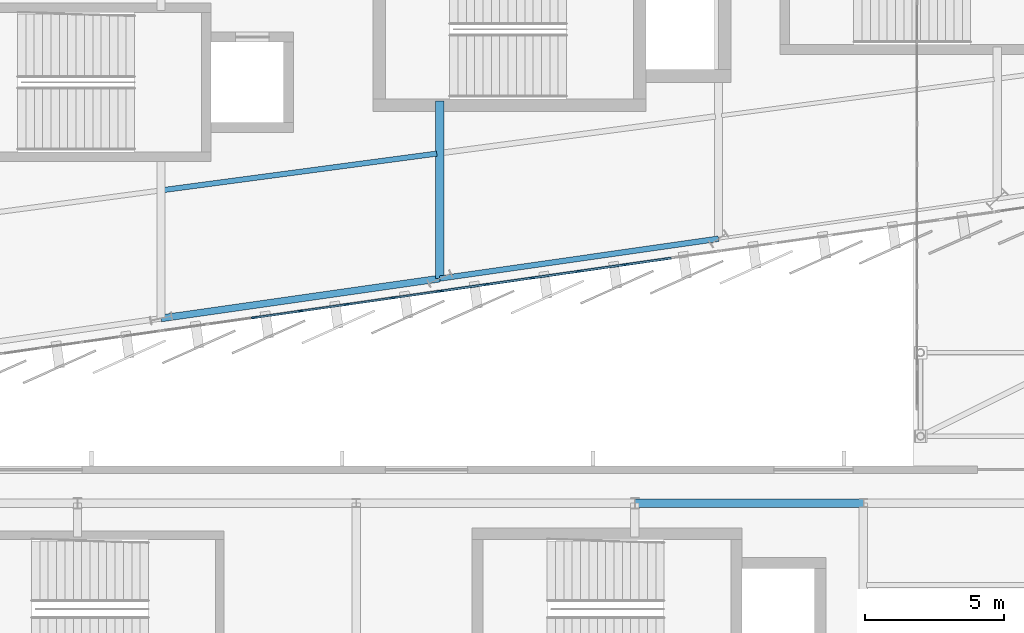
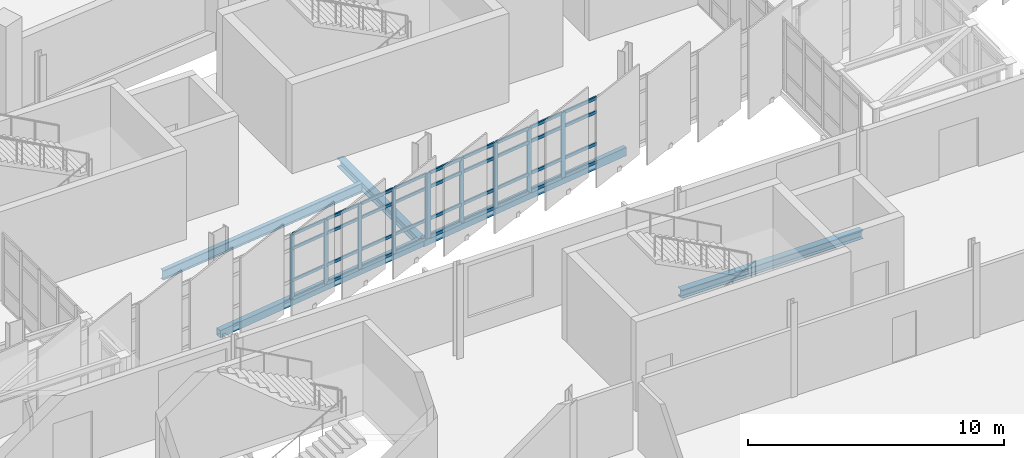
# One storey, part 39 of 125: 46 members, 5 beams, 2 elements without a shape of their own.
"""IFC4 building model written with IfcOpenShell, lengths in metres."""

from ifc_helpers import new_model, si_unit, direction, frame, origin, origin_2d, place, context, subcontext, project, spatial, rectangle, hollow_rectangle, i_section, extrude, material, layer, layer_set, material_profile, profile_set, type_object, element, aggregate, save


model = new_model("IFC4")

# Units and contexts
model_context = context("Model", 3, precision=1e-05, world=origin(), true_north=direction((0.0, 1.0)))
body_context = subcontext(model_context, "Body", "Model", "MODEL_VIEW")
ifc_project = project(units=[si_unit("LENGTHUNIT", "METRE"), si_unit("AREAUNIT", "SQUARE_METRE"), si_unit("VOLUMEUNIT", "CUBIC_METRE"), si_unit("PLANEANGLEUNIT", "RADIAN"), si_unit("MASSUNIT", "GRAM", prefix="KILO")], contexts=[model_context])

# Site, building, storey
site_placement = place(None, origin())
site = spatial("IfcSite", under=ifc_project, at=site_placement, CompositionType="ELEMENT")
building_placement = place(site_placement, origin())
building = spatial("IfcBuilding", under=site, at=building_placement, Name="Sohan Crest Arena", CompositionType="ELEMENT")
storey_placement = place(building_placement, frame((0.0, 0.0, 9.0)))
storey = spatial("IfcBuildingStorey", under=building, at=storey_placement, Name="L02", CompositionType="ELEMENT", Elevation=9.0)

# Curtain wall, members
ifc_material_1 = material(Name="Thermally broken anodised aluminium", Category="aluminium")
ifc_layer_1 = layer(ifc_material_1, 0.199951171875, Name="Thermally broken anodised aluminium")
ifc_layer_set_1 = layer_set([ifc_layer_1], Name="Thermally broken anodised aluminium")
curtain_wall_type_1 = type_object("IfcCurtainWallType", Name="ARC-CW02", PredefinedType="NOTDEFINED", material=ifc_layer_set_1)
curtain_wall_1_placement = place(storey_placement, origin())
curtain_wall_1 = element("IfcCurtainWall", 1, at=curtain_wall_1_placement, inside=storey, type_object=curtain_wall_type_1, Name="Unitised curtain wall CW-061", PredefinedType="NOTDEFINED")
ifc_material_profile_1 = material_profile(ifc_material_1, rectangle(XDim=0.06494140625, YDim=0.179931640625, at=origin_2d()), Name="ALU-MULL 65x180")
ifc_profile_set_1 = profile_set([ifc_material_profile_1], Name="Thermally broken anodised aluminium")
member_type_1 = type_object("IfcMemberType", Name="ARC-CW-ML02", PredefinedType="MULLION", material=ifc_profile_set_1)
member_1_placement = place(storey_placement, frame((111.333251953125, 31.455078125, 0.0), z_axis=(0.0, 0.0, 1.0), x_axis=(-0.141365918403, 0.989957411768, 0.0)))
member_1 = element("IfcMember", 2, at=member_1_placement, type_object=member_type_1, Name="CW-061 mullion 3", PredefinedType="MULLION", context=body_context, shape_type="SweptSolid", body=[
    extrude(rectangle(XDim=0.06494140625, YDim=0.179931640625, at=origin_2d()), origin(), (0.0, 0.0, 1.0), 3.1201171875),
])
member_2_placement = place(storey_placement, frame((113.0, 31.693115234375, 0.0), z_axis=(0.0, 0.0, 1.0), x_axis=(-0.141365918403, 0.989957411768, 0.0)))
member_2 = element("IfcMember", 3, at=member_2_placement, type_object=member_type_1, Name="CW-061 mullion 4", PredefinedType="MULLION", context=body_context, shape_type="SweptSolid", body=[
    extrude(rectangle(XDim=0.06494140625, YDim=0.179931640625, at=origin_2d()), origin(), (0.0, 0.0, 1.0), 3.1201171875),
])
member_3_placement = place(storey_placement, frame((114.666748046875, 31.930908203125, 0.0), z_axis=(0.0, 0.0, 1.0), x_axis=(-0.141365918403, 0.989957411768, 0.0)))
member_3 = element("IfcMember", 4, at=member_3_placement, type_object=member_type_1, Name="CW-061 mullion 5", PredefinedType="MULLION", context=body_context, shape_type="SweptSolid", body=[
    extrude(rectangle(XDim=0.06494140625, YDim=0.179931640625, at=origin_2d()), origin(), (0.0, 0.0, 1.0), 3.1201171875),
])
member_4_placement = place(storey_placement, frame((116.333251953125, 32.1689453125, 0.0), z_axis=(0.0, 0.0, 1.0), x_axis=(-0.141365918403, 0.989957411768, 0.0)))
member_4 = element("IfcMember", 5, at=member_4_placement, type_object=member_type_1, Name="CW-061 mullion 6", PredefinedType="MULLION", context=body_context, shape_type="SweptSolid", body=[
    extrude(rectangle(XDim=0.06494140625, YDim=0.179931640625, at=origin_2d()), origin(), (0.0, 0.0, 1.0), 3.1201171875),
])
member_5_placement = place(storey_placement, frame((117.9677734375, 32.40234375, 0.0), z_axis=(0.0, 0.0, 1.0), x_axis=(-0.141365918403, 0.989957411768, 0.0)))
member_5 = element("IfcMember", 6, at=member_5_placement, type_object=member_type_1, Name="CW-061 mullion 7", PredefinedType="MULLION", context=body_context, shape_type="SweptSolid", body=[
    extrude(rectangle(XDim=0.06494140625, YDim=0.179931640625, at=origin_2d()), origin(), (0.0, 0.0, 1.0), 3.1201171875),
])

ifc_layer_2 = layer(ifc_material_1, 0.219970703125, Name="Thermally broken anodised aluminium")
ifc_layer_set_2 = layer_set([ifc_layer_2], Name="Thermally broken anodised aluminium")
curtain_wall_type_2 = type_object("IfcCurtainWallType", Name="ARC-CW03", PredefinedType="NOTDEFINED", material=ifc_layer_set_2)
curtain_wall_2_placement = place(storey_placement, origin())
curtain_wall_2 = element("IfcCurtainWall", 7, at=curtain_wall_2_placement, inside=storey, type_object=curtain_wall_type_2, Name="Unitised curtain wall CW-062", PredefinedType="NOTDEFINED")
ifc_material_profile_2 = material_profile(ifc_material_1, rectangle(XDim=0.070068359375, YDim=0.199951171875, at=origin_2d()), Name="ALU-MULL 70x200")
ifc_profile_set_2 = profile_set([ifc_material_profile_2], Name="Thermally broken anodised aluminium")
member_type_2 = type_object("IfcMemberType", Name="ARC-CW-ML03", PredefinedType="MULLION", material=ifc_profile_set_2)
member_6_placement = place(storey_placement, frame((118.03466796875, 32.411865234375, 0.0), z_axis=(0.0, 0.0, 1.0), x_axis=(-0.141462933734, 0.989943553128, 0.0)))
member_6 = element("IfcMember", 8, at=member_6_placement, type_object=member_type_2, Name="CW-062 mullion 1", PredefinedType="MULLION", context=body_context, shape_type="SweptSolid", body=[
    extrude(rectangle(XDim=0.070068359375, YDim=0.199951171875, at=origin_2d()), origin(), (0.0, 0.0, 1.0), 3.1201171875),
])
member_7_placement = place(storey_placement, frame((119.666748046875, 32.645263671875, 0.0), z_axis=(0.0, 0.0, 1.0), x_axis=(-0.141462933734, 0.989943553128, 0.0)))
member_7 = element("IfcMember", 9, at=member_7_placement, type_object=member_type_2, Name="CW-062 mullion 2", PredefinedType="MULLION", context=body_context, shape_type="SweptSolid", body=[
    extrude(rectangle(XDim=0.070068359375, YDim=0.199951171875, at=origin_2d()), origin(), (0.0, 0.0, 1.0), 3.1201171875),
])
member_8_placement = place(storey_placement, frame((121.333251953125, 32.88330078125, 0.0), z_axis=(0.0, 0.0, 1.0), x_axis=(-0.141462933734, 0.989943553128, 0.0)))
member_8 = element("IfcMember", 10, at=member_8_placement, type_object=member_type_2, Name="CW-062 mullion 3", PredefinedType="MULLION", context=body_context, shape_type="SweptSolid", body=[
    extrude(rectangle(XDim=0.070068359375, YDim=0.199951171875, at=origin_2d()), origin(), (0.0, 0.0, 1.0), 3.1201171875),
])
member_9_placement = place(storey_placement, frame((123.0, 33.12158203125, 0.0), z_axis=(0.0, 0.0, 1.0), x_axis=(-0.141462933734, 0.989943553128, 0.0)))
member_9 = element("IfcMember", 11, at=member_9_placement, type_object=member_type_2, Name="CW-062 mullion 4", PredefinedType="MULLION", context=body_context, shape_type="SweptSolid", body=[
    extrude(rectangle(XDim=0.070068359375, YDim=0.199951171875, at=origin_2d()), origin(), (0.0, 0.0, 1.0), 3.1201171875),
])
member_10_placement = place(storey_placement, frame((124.666748046875, 33.359619140625, 0.0), z_axis=(0.0, 0.0, 1.0), x_axis=(-0.141462933734, 0.989943553128, 0.0)))
member_10 = element("IfcMember", 12, at=member_10_placement, type_object=member_type_2, Name="CW-062 mullion 5", PredefinedType="MULLION", context=body_context, shape_type="SweptSolid", body=[
    extrude(rectangle(XDim=0.070068359375, YDim=0.199951171875, at=origin_2d()), origin(), (0.0, 0.0, 1.0), 3.1201171875),
])

# Member
ifc_material_profile_3 = material_profile(ifc_material_1, rectangle(XDim=0.06494140625, YDim=0.139892578125, at=origin_2d()), Name="ALU-TRAN 65x140")
ifc_profile_set_3 = profile_set([ifc_material_profile_3], Name="Thermally broken anodised aluminium")
member_type_3 = type_object("IfcMemberType", Name="ARC-CW-TR02", PredefinedType="USERDEFINED", material=ifc_profile_set_3)
member_11_placement = place(storey_placement, frame((111.365478515625, 31.45947265625, 0.032470703125), z_axis=(0.98994044144, 0.141484707309, 0.0), x_axis=(-0.141484707309, 0.98994044144, 0.0)))
member_11 = element("IfcMember", 13, at=member_11_placement, type_object=member_type_3, Name="CW-061 transom 3.1", ObjectType="TRANSOM", PredefinedType="USERDEFINED", context=body_context, shape_type="SweptSolid", body=[
    extrude(rectangle(XDim=0.06494140625, YDim=0.139892578125, at=origin_2d()), origin(), (0.0, 0.0, 1.0), 1.61865234375),
])

member_12_placement = place(storey_placement, frame((111.365478515625, 31.45947265625, 0.89990234375), z_axis=(0.98994044144, 0.141484707309, 0.0), x_axis=(-0.141484707309, 0.98994044144, 0.0)))
member_12 = element("IfcMember", 14, at=member_12_placement, type_object=member_type_3, Name="CW-061 transom 3.2", ObjectType="TRANSOM", PredefinedType="USERDEFINED", context=body_context, shape_type="SweptSolid", body=[
    extrude(rectangle(XDim=0.06494140625, YDim=0.139892578125, at=origin_2d()), origin(), (0.0, 0.0, 1.0), 1.61865234375),
])

member_13_placement = place(storey_placement, frame((111.365478515625, 31.45947265625, 2.419921875), z_axis=(0.98994044144, 0.141484707309, 0.0), x_axis=(-0.141484707309, 0.98994044144, 0.0)))
member_13 = element("IfcMember", 15, at=member_13_placement, type_object=member_type_3, Name="CW-061 transom 3.3", ObjectType="TRANSOM", PredefinedType="USERDEFINED", context=body_context, shape_type="SweptSolid", body=[
    extrude(rectangle(XDim=0.06494140625, YDim=0.139892578125, at=origin_2d()), origin(), (0.0, 0.0, 1.0), 1.61865234375),
])

member_14_placement = place(storey_placement, frame((111.365478515625, 31.45947265625, 3.08740234375), z_axis=(0.98994044144, 0.141484707309, 0.0), x_axis=(-0.141484707309, 0.98994044144, 0.0)))
member_14 = element("IfcMember", 16, at=member_14_placement, type_object=member_type_3, Name="CW-061 transom 3.4", ObjectType="TRANSOM", PredefinedType="USERDEFINED", context=body_context, shape_type="SweptSolid", body=[
    extrude(rectangle(XDim=0.06494140625, YDim=0.139892578125, at=origin_2d()), origin(), (0.0, 0.0, 1.0), 1.61865234375),
])

member_15_placement = place(storey_placement, frame((113.0322265625, 31.697509765625, 0.032470703125), z_axis=(0.98994044144, 0.141484707309, 0.0), x_axis=(-0.141484707309, 0.98994044144, 0.0)))
member_15 = element("IfcMember", 17, at=member_15_placement, type_object=member_type_3, Name="CW-061 transom 4.1", ObjectType="TRANSOM", PredefinedType="USERDEFINED", context=body_context, shape_type="SweptSolid", body=[
    extrude(rectangle(XDim=0.06494140625, YDim=0.139892578125, at=origin_2d()), origin(), (0.0, 0.0, 1.0), 1.61865234375),
])

member_16_placement = place(storey_placement, frame((113.0322265625, 31.697509765625, 0.89990234375), z_axis=(0.98994044144, 0.141484707309, 0.0), x_axis=(-0.141484707309, 0.98994044144, 0.0)))
member_16 = element("IfcMember", 18, at=member_16_placement, type_object=member_type_3, Name="CW-061 transom 4.2", ObjectType="TRANSOM", PredefinedType="USERDEFINED", context=body_context, shape_type="SweptSolid", body=[
    extrude(rectangle(XDim=0.06494140625, YDim=0.139892578125, at=origin_2d()), origin(), (0.0, 0.0, 1.0), 1.61865234375),
])

member_17_placement = place(storey_placement, frame((113.0322265625, 31.697509765625, 2.419921875), z_axis=(0.98994044144, 0.141484707309, 0.0), x_axis=(-0.141484707309, 0.98994044144, 0.0)))
member_17 = element("IfcMember", 19, at=member_17_placement, type_object=member_type_3, Name="CW-061 transom 4.3", ObjectType="TRANSOM", PredefinedType="USERDEFINED", context=body_context, shape_type="SweptSolid", body=[
    extrude(rectangle(XDim=0.06494140625, YDim=0.139892578125, at=origin_2d()), origin(), (0.0, 0.0, 1.0), 1.61865234375),
])

member_18_placement = place(storey_placement, frame((113.0322265625, 31.697509765625, 3.08740234375), z_axis=(0.98994044144, 0.141484707309, 0.0), x_axis=(-0.141484707309, 0.98994044144, 0.0)))
member_18 = element("IfcMember", 20, at=member_18_placement, type_object=member_type_3, Name="CW-061 transom 4.4", ObjectType="TRANSOM", PredefinedType="USERDEFINED", context=body_context, shape_type="SweptSolid", body=[
    extrude(rectangle(XDim=0.06494140625, YDim=0.139892578125, at=origin_2d()), origin(), (0.0, 0.0, 1.0), 1.61865234375),
])

member_19_placement = place(storey_placement, frame((114.69873046875, 31.935546875, 0.032470703125), z_axis=(0.989964569759, 0.141315783343, 0.0), x_axis=(-0.141315783343, 0.989964569759, 0.0)))
member_19 = element("IfcMember", 21, at=member_19_placement, type_object=member_type_3, Name="CW-061 transom 5.1", ObjectType="TRANSOM", PredefinedType="USERDEFINED", context=body_context, shape_type="SweptSolid", body=[
    extrude(rectangle(XDim=0.06494140625, YDim=0.139892578125, at=origin_2d()), origin(), (0.0, 0.0, 1.0), 1.618896484375),
])

member_20_placement = place(storey_placement, frame((114.69873046875, 31.935546875, 0.89990234375), z_axis=(0.989964569759, 0.141315783343, 0.0), x_axis=(-0.141315783343, 0.989964569759, 0.0)))
member_20 = element("IfcMember", 22, at=member_20_placement, type_object=member_type_3, Name="CW-061 transom 5.2", ObjectType="TRANSOM", PredefinedType="USERDEFINED", context=body_context, shape_type="SweptSolid", body=[
    extrude(rectangle(XDim=0.06494140625, YDim=0.139892578125, at=origin_2d()), origin(), (0.0, 0.0, 1.0), 1.618896484375),
])

member_21_placement = place(storey_placement, frame((114.69873046875, 31.935546875, 2.419921875), z_axis=(0.989964569759, 0.141315783343, 0.0), x_axis=(-0.141315783343, 0.989964569759, 0.0)))
member_21 = element("IfcMember", 23, at=member_21_placement, type_object=member_type_3, Name="CW-061 transom 5.3", ObjectType="TRANSOM", PredefinedType="USERDEFINED", context=body_context, shape_type="SweptSolid", body=[
    extrude(rectangle(XDim=0.06494140625, YDim=0.139892578125, at=origin_2d()), origin(), (0.0, 0.0, 1.0), 1.618896484375),
])

member_22_placement = place(storey_placement, frame((114.69873046875, 31.935546875, 3.08740234375), z_axis=(0.989964569759, 0.141315783343, 0.0), x_axis=(-0.141315783343, 0.989964569759, 0.0)))
member_22 = element("IfcMember", 24, at=member_22_placement, type_object=member_type_3, Name="CW-061 transom 5.4", ObjectType="TRANSOM", PredefinedType="USERDEFINED", context=body_context, shape_type="SweptSolid", body=[
    extrude(rectangle(XDim=0.06494140625, YDim=0.139892578125, at=origin_2d()), origin(), (0.0, 0.0, 1.0), 1.618896484375),
])

member_23_placement = place(storey_placement, frame((116.365478515625, 32.173583984375, 0.032470703125), z_axis=(0.989964881435, 0.141313599931, 0.0), x_axis=(-0.141313599931, 0.989964881435, 0.0)))
member_23 = element("IfcMember", 25, at=member_23_placement, type_object=member_type_3, Name="CW-061 transom 6.1", ObjectType="TRANSOM", PredefinedType="USERDEFINED", context=body_context, shape_type="SweptSolid", body=[
    extrude(rectangle(XDim=0.06494140625, YDim=0.139892578125, at=origin_2d()), origin(), (0.0, 0.0, 1.0), 1.5859375),
])

member_24_placement = place(storey_placement, frame((116.365478515625, 32.173583984375, 0.89990234375), z_axis=(0.989964881435, 0.141313599931, 0.0), x_axis=(-0.141313599931, 0.989964881435, 0.0)))
member_24 = element("IfcMember", 26, at=member_24_placement, type_object=member_type_3, Name="CW-061 transom 6.2", ObjectType="TRANSOM", PredefinedType="USERDEFINED", context=body_context, shape_type="SweptSolid", body=[
    extrude(rectangle(XDim=0.06494140625, YDim=0.139892578125, at=origin_2d()), origin(), (0.0, 0.0, 1.0), 1.5859375),
])

member_25_placement = place(storey_placement, frame((116.365478515625, 32.173583984375, 2.419921875), z_axis=(0.989964881435, 0.141313599931, 0.0), x_axis=(-0.141313599931, 0.989964881435, 0.0)))
member_25 = element("IfcMember", 27, at=member_25_placement, type_object=member_type_3, Name="CW-061 transom 6.3", ObjectType="TRANSOM", PredefinedType="USERDEFINED", context=body_context, shape_type="SweptSolid", body=[
    extrude(rectangle(XDim=0.06494140625, YDim=0.139892578125, at=origin_2d()), origin(), (0.0, 0.0, 1.0), 1.5859375),
])

member_26_placement = place(storey_placement, frame((116.365478515625, 32.173583984375, 3.08740234375), z_axis=(0.989964881435, 0.141313599931, 0.0), x_axis=(-0.141313599931, 0.989964881435, 0.0)))
member_26 = element("IfcMember", 28, at=member_26_placement, type_object=member_type_3, Name="CW-061 transom 6.4", ObjectType="TRANSOM", PredefinedType="USERDEFINED", context=body_context, shape_type="SweptSolid", body=[
    extrude(rectangle(XDim=0.06494140625, YDim=0.139892578125, at=origin_2d()), origin(), (0.0, 0.0, 1.0), 1.5859375),
])

aggregate(curtain_wall_1, [member_1, member_2, member_3, member_4, member_5, member_11, member_12, member_13, member_14, member_15, member_16, member_17, member_18, member_19, member_20, member_21, member_22, member_23, member_24, member_25, member_26])

ifc_material_profile_4 = material_profile(ifc_material_1, rectangle(XDim=0.070068359375, YDim=0.14990234375, at=origin_2d()), Name="ALU-TRAN 70x150")
ifc_profile_set_4 = profile_set([ifc_material_profile_4], Name="Thermally broken anodised aluminium")
member_type_4 = type_object("IfcMemberType", Name="ARC-CW-TR03", PredefinedType="USERDEFINED", material=ifc_profile_set_4)
member_27_placement = place(storey_placement, frame((118.0693359375, 32.4169921875, 0.034912109375), z_axis=(0.989958770944, 0.141356400038, 0.0), x_axis=(-0.141356400038, 0.989958770944, 0.0)))
member_27 = element("IfcMember", 29, at=member_27_placement, type_object=member_type_4, Name="CW-062 transom 1.1", ObjectType="TRANSOM", PredefinedType="USERDEFINED", context=body_context, shape_type="SweptSolid", body=[
    extrude(rectangle(XDim=0.070068359375, YDim=0.14990234375, at=origin_2d()), origin(), (0.0, 0.0, 1.0), 1.57861328125),
])

member_28_placement = place(storey_placement, frame((118.0693359375, 32.4169921875, 0.89990234375), z_axis=(0.989958770944, 0.141356400038, 0.0), x_axis=(-0.141356400038, 0.989958770944, 0.0)))
member_28 = element("IfcMember", 30, at=member_28_placement, type_object=member_type_4, Name="CW-062 transom 1.2", ObjectType="TRANSOM", PredefinedType="USERDEFINED", context=body_context, shape_type="SweptSolid", body=[
    extrude(rectangle(XDim=0.070068359375, YDim=0.14990234375, at=origin_2d()), origin(), (0.0, 0.0, 1.0), 1.57861328125),
])

member_29_placement = place(storey_placement, frame((118.0693359375, 32.4169921875, 2.419921875), z_axis=(0.989958770944, 0.141356400038, 0.0), x_axis=(-0.141356400038, 0.989958770944, 0.0)))
member_29 = element("IfcMember", 31, at=member_29_placement, type_object=member_type_4, Name="CW-062 transom 1.3", ObjectType="TRANSOM", PredefinedType="USERDEFINED", context=body_context, shape_type="SweptSolid", body=[
    extrude(rectangle(XDim=0.070068359375, YDim=0.14990234375, at=origin_2d()), origin(), (0.0, 0.0, 1.0), 1.57861328125),
])

member_30_placement = place(storey_placement, frame((118.0693359375, 32.4169921875, 3.0849609375), z_axis=(0.989958770944, 0.141356400038, 0.0), x_axis=(-0.141356400038, 0.989958770944, 0.0)))
member_30 = element("IfcMember", 32, at=member_30_placement, type_object=member_type_4, Name="CW-062 transom 1.4", ObjectType="TRANSOM", PredefinedType="USERDEFINED", context=body_context, shape_type="SweptSolid", body=[
    extrude(rectangle(XDim=0.070068359375, YDim=0.14990234375, at=origin_2d()), origin(), (0.0, 0.0, 1.0), 1.57861328125),
])

member_31_placement = place(storey_placement, frame((119.701416015625, 32.650146484375, 0.034912109375), z_axis=(0.989940412375, 0.141484910665, 0.0), x_axis=(-0.141484910665, 0.989940412375, 0.0)))
member_31 = element("IfcMember", 33, at=member_31_placement, type_object=member_type_4, Name="CW-062 transom 2.1", ObjectType="TRANSOM", PredefinedType="USERDEFINED", context=body_context, shape_type="SweptSolid", body=[
    extrude(rectangle(XDim=0.070068359375, YDim=0.14990234375, at=origin_2d()), origin(), (0.0, 0.0, 1.0), 1.61328125),
])

member_32_placement = place(storey_placement, frame((119.701416015625, 32.650146484375, 0.89990234375), z_axis=(0.989940412375, 0.141484910665, 0.0), x_axis=(-0.141484910665, 0.989940412375, 0.0)))
member_32 = element("IfcMember", 34, at=member_32_placement, type_object=member_type_4, Name="CW-062 transom 2.2", ObjectType="TRANSOM", PredefinedType="USERDEFINED", context=body_context, shape_type="SweptSolid", body=[
    extrude(rectangle(XDim=0.070068359375, YDim=0.14990234375, at=origin_2d()), origin(), (0.0, 0.0, 1.0), 1.61328125),
])

member_33_placement = place(storey_placement, frame((119.701416015625, 32.650146484375, 2.419921875), z_axis=(0.989940412375, 0.141484910665, 0.0), x_axis=(-0.141484910665, 0.989940412375, 0.0)))
member_33 = element("IfcMember", 35, at=member_33_placement, type_object=member_type_4, Name="CW-062 transom 2.3", ObjectType="TRANSOM", PredefinedType="USERDEFINED", context=body_context, shape_type="SweptSolid", body=[
    extrude(rectangle(XDim=0.070068359375, YDim=0.14990234375, at=origin_2d()), origin(), (0.0, 0.0, 1.0), 1.61328125),
])

member_34_placement = place(storey_placement, frame((119.701416015625, 32.650146484375, 3.0849609375), z_axis=(0.989940412375, 0.141484910665, 0.0), x_axis=(-0.141484910665, 0.989940412375, 0.0)))
member_34 = element("IfcMember", 36, at=member_34_placement, type_object=member_type_4, Name="CW-062 transom 2.4", ObjectType="TRANSOM", PredefinedType="USERDEFINED", context=body_context, shape_type="SweptSolid", body=[
    extrude(rectangle(XDim=0.070068359375, YDim=0.14990234375, at=origin_2d()), origin(), (0.0, 0.0, 1.0), 1.61328125),
])

member_35_placement = place(storey_placement, frame((121.367919921875, 32.88818359375, 0.034912109375), z_axis=(0.989943440831, 0.141463719575, 0.0), x_axis=(-0.141463719575, 0.989943440831, 0.0)))
member_35 = element("IfcMember", 37, at=member_35_placement, type_object=member_type_4, Name="CW-062 transom 3.1", ObjectType="TRANSOM", PredefinedType="USERDEFINED", context=body_context, shape_type="SweptSolid", body=[
    extrude(rectangle(XDim=0.070068359375, YDim=0.14990234375, at=origin_2d()), origin(), (0.0, 0.0, 1.0), 1.613525390625),
])

member_36_placement = place(storey_placement, frame((121.367919921875, 32.88818359375, 0.89990234375), z_axis=(0.989943440831, 0.141463719575, 0.0), x_axis=(-0.141463719575, 0.989943440831, 0.0)))
member_36 = element("IfcMember", 38, at=member_36_placement, type_object=member_type_4, Name="CW-062 transom 3.2", ObjectType="TRANSOM", PredefinedType="USERDEFINED", context=body_context, shape_type="SweptSolid", body=[
    extrude(rectangle(XDim=0.070068359375, YDim=0.14990234375, at=origin_2d()), origin(), (0.0, 0.0, 1.0), 1.613525390625),
])

member_37_placement = place(storey_placement, frame((121.367919921875, 32.88818359375, 2.419921875), z_axis=(0.989943440831, 0.141463719575, 0.0), x_axis=(-0.141463719575, 0.989943440831, 0.0)))
member_37 = element("IfcMember", 39, at=member_37_placement, type_object=member_type_4, Name="CW-062 transom 3.3", ObjectType="TRANSOM", PredefinedType="USERDEFINED", context=body_context, shape_type="SweptSolid", body=[
    extrude(rectangle(XDim=0.070068359375, YDim=0.14990234375, at=origin_2d()), origin(), (0.0, 0.0, 1.0), 1.613525390625),
])

member_38_placement = place(storey_placement, frame((121.367919921875, 32.88818359375, 3.0849609375), z_axis=(0.989943440831, 0.141463719575, 0.0), x_axis=(-0.141463719575, 0.989943440831, 0.0)))
member_38 = element("IfcMember", 40, at=member_38_placement, type_object=member_type_4, Name="CW-062 transom 3.4", ObjectType="TRANSOM", PredefinedType="USERDEFINED", context=body_context, shape_type="SweptSolid", body=[
    extrude(rectangle(XDim=0.070068359375, YDim=0.14990234375, at=origin_2d()), origin(), (0.0, 0.0, 1.0), 1.613525390625),
])

member_39_placement = place(storey_placement, frame((123.03466796875, 33.12646484375, 0.034912109375), z_axis=(0.989943440831, 0.141463719575, 0.0), x_axis=(-0.141463719575, 0.989943440831, 0.0)))
member_39 = element("IfcMember", 41, at=member_39_placement, type_object=member_type_4, Name="CW-062 transom 4.1", ObjectType="TRANSOM", PredefinedType="USERDEFINED", context=body_context, shape_type="SweptSolid", body=[
    extrude(rectangle(XDim=0.070068359375, YDim=0.14990234375, at=origin_2d()), origin(), (0.0, 0.0, 1.0), 1.613525390625),
])

member_40_placement = place(storey_placement, frame((123.03466796875, 33.12646484375, 0.89990234375), z_axis=(0.989943440831, 0.141463719575, 0.0), x_axis=(-0.141463719575, 0.989943440831, 0.0)))
member_40 = element("IfcMember", 42, at=member_40_placement, type_object=member_type_4, Name="CW-062 transom 4.2", ObjectType="TRANSOM", PredefinedType="USERDEFINED", context=body_context, shape_type="SweptSolid", body=[
    extrude(rectangle(XDim=0.070068359375, YDim=0.14990234375, at=origin_2d()), origin(), (0.0, 0.0, 1.0), 1.613525390625),
])

member_41_placement = place(storey_placement, frame((123.03466796875, 33.12646484375, 2.419921875), z_axis=(0.989943440831, 0.141463719575, 0.0), x_axis=(-0.141463719575, 0.989943440831, 0.0)))
member_41 = element("IfcMember", 43, at=member_41_placement, type_object=member_type_4, Name="CW-062 transom 4.3", ObjectType="TRANSOM", PredefinedType="USERDEFINED", context=body_context, shape_type="SweptSolid", body=[
    extrude(rectangle(XDim=0.070068359375, YDim=0.14990234375, at=origin_2d()), origin(), (0.0, 0.0, 1.0), 1.613525390625),
])

member_42_placement = place(storey_placement, frame((123.03466796875, 33.12646484375, 3.0849609375), z_axis=(0.989943440831, 0.141463719575, 0.0), x_axis=(-0.141463719575, 0.989943440831, 0.0)))
member_42 = element("IfcMember", 44, at=member_42_placement, type_object=member_type_4, Name="CW-062 transom 4.4", ObjectType="TRANSOM", PredefinedType="USERDEFINED", context=body_context, shape_type="SweptSolid", body=[
    extrude(rectangle(XDim=0.070068359375, YDim=0.14990234375, at=origin_2d()), origin(), (0.0, 0.0, 1.0), 1.613525390625),
])

member_43_placement = place(storey_placement, frame((124.701416015625, 33.364501953125, 0.034912109375), z_axis=(0.989940412375, 0.141484910665, 0.0), x_axis=(-0.141484910665, 0.989940412375, 0.0)))
member_43 = element("IfcMember", 45, at=member_43_placement, type_object=member_type_4, Name="CW-062 transom 5.1", ObjectType="TRANSOM", PredefinedType="USERDEFINED", context=body_context, shape_type="SweptSolid", body=[
    extrude(rectangle(XDim=0.070068359375, YDim=0.14990234375, at=origin_2d()), origin(), (0.0, 0.0, 1.0), 1.61328125),
])

member_44_placement = place(storey_placement, frame((124.701416015625, 33.364501953125, 0.89990234375), z_axis=(0.989940412375, 0.141484910665, 0.0), x_axis=(-0.141484910665, 0.989940412375, 0.0)))
member_44 = element("IfcMember", 46, at=member_44_placement, type_object=member_type_4, Name="CW-062 transom 5.2", ObjectType="TRANSOM", PredefinedType="USERDEFINED", context=body_context, shape_type="SweptSolid", body=[
    extrude(rectangle(XDim=0.070068359375, YDim=0.14990234375, at=origin_2d()), origin(), (0.0, 0.0, 1.0), 1.61328125),
])

member_45_placement = place(storey_placement, frame((124.701416015625, 33.364501953125, 2.419921875), z_axis=(0.989940412375, 0.141484910665, 0.0), x_axis=(-0.141484910665, 0.989940412375, 0.0)))
member_45 = element("IfcMember", 47, at=member_45_placement, type_object=member_type_4, Name="CW-062 transom 5.3", ObjectType="TRANSOM", PredefinedType="USERDEFINED", context=body_context, shape_type="SweptSolid", body=[
    extrude(rectangle(XDim=0.070068359375, YDim=0.14990234375, at=origin_2d()), origin(), (0.0, 0.0, 1.0), 1.61328125),
])

member_46_placement = place(storey_placement, frame((124.701416015625, 33.364501953125, 3.0849609375), z_axis=(0.989940412375, 0.141484910665, 0.0), x_axis=(-0.141484910665, 0.989940412375, 0.0)))
member_46 = element("IfcMember", 48, at=member_46_placement, type_object=member_type_4, Name="CW-062 transom 5.4", ObjectType="TRANSOM", PredefinedType="USERDEFINED", context=body_context, shape_type="SweptSolid", body=[
    extrude(rectangle(XDim=0.070068359375, YDim=0.14990234375, at=origin_2d()), origin(), (0.0, 0.0, 1.0), 1.61328125),
])

aggregate(curtain_wall_2, [member_6, member_7, member_8, member_9, member_10, member_27, member_28, member_29, member_30, member_31, member_32, member_33, member_34, member_35, member_36, member_37, member_38, member_39, member_40, member_41, member_42, member_43, member_44, member_45, member_46])

# Beams
ifc_material_2 = material(Name="Steel S355", Category="steel")
ifc_material_profile_5 = material_profile(ifc_material_2, i_section(OverallWidth=0.18994140625, OverallDepth=0.449951171875, WebThickness=0.009521484375, FlangeThickness=0.0146484375, at=origin_2d()), Name="IPE 450")
ifc_profile_set_5 = profile_set([ifc_material_profile_5], Name="Steel S355")
beam_type_1 = type_object("IfcBeamType", Name="STR-BM-B04", PredefinedType="JOIST", material=ifc_profile_set_5)
beam_1_placement = place(storey_placement, frame((108.10888671875, 36.035888671875, -0.47509765625), z_axis=(0.991229196985, 0.132153997462, 0.0), x_axis=(-0.132153997462, 0.991229196985, 0.0)))
element("IfcBeam", 49, at=beam_1_placement, inside=storey, type_object=beam_type_1, Name="Structural beam J-L02-1301", PredefinedType="JOIST", context=body_context, shape_type="SweptSolid", body=[
    extrude(i_section(OverallWidth=0.18994140625, OverallDepth=0.449951171875, WebThickness=0.009521484375, FlangeThickness=0.0146484375, at=origin_2d()), origin(), (0.0, 0.0, 1.0), 9.868896484375),
])
ifc_material_profile_6 = material_profile(ifc_material_2, i_section(OverallWidth=0.300048828125, OverallDepth=0.389892578125, WebThickness=0.010986328125, FlangeThickness=0.01904296875, at=origin_2d()), Name="HEA 400")
ifc_profile_set_6 = profile_set([ifc_material_profile_6], Name="Steel S355")
beam_type_2 = type_object("IfcBeamType", Name="STR-BM-B09", PredefinedType="BEAM", material=ifc_profile_set_6)
beam_2_placement = place(storey_placement, frame((125.0, 24.800048828125, -0.445068359375), z_axis=(1.0, 0.0, 0.0), x_axis=(0.0, 1.0, 0.0)))
element("IfcBeam", 50, at=beam_2_placement, inside=storey, type_object=beam_type_2, Name="Structural beam G-L02-2695", PredefinedType="BEAM", context=body_context, shape_type="SweptSolid", body=[
    extrude(i_section(OverallWidth=0.300048828125, OverallDepth=0.389892578125, WebThickness=0.010986328125, FlangeThickness=0.01904296875, at=origin_2d()), origin(), (0.0, 0.0, 1.0), 8.199951171875),
])
ifc_material_profile_7 = material_profile(ifc_material_2, i_section(OverallWidth=0.300048828125, OverallDepth=0.39990234375, WebThickness=0.013427734375, FlangeThickness=0.02392578125, at=origin_2d()), Name="HEB 400")
ifc_profile_set_7 = profile_set([ifc_material_profile_7], Name="Steel S355")
beam_type_3 = type_object("IfcBeamType", Name="STR-BM-B13", PredefinedType="BEAM", material=ifc_profile_set_7)
beam_3_placement = place(storey_placement, frame((118.0, 39.219970703125, -0.449951171875), z_axis=(0.0, -1.0, 0.0), x_axis=(1.0, 0.0, 0.0)))
element("IfcBeam", 51, at=beam_3_placement, inside=storey, type_object=beam_type_3, Name="Structural beam G-L02-1303", PredefinedType="BEAM", context=body_context, shape_type="SweptSolid", body=[
    extrude(i_section(OverallWidth=0.300048828125, OverallDepth=0.39990234375, WebThickness=0.013427734375, FlangeThickness=0.02392578125, at=origin_2d()), origin(), (0.0, 0.0, 1.0), 6.363037109375),
])
ifc_material_profile_8 = material_profile(ifc_material_2, hollow_rectangle(XDim=0.25, YDim=0.35009765625, WallThickness=0.012451171875, at=origin_2d()), Name="RHS 350x250x12.5")
ifc_profile_set_8 = profile_set([ifc_material_profile_8], Name="Steel S355")
beam_type_4 = type_object("IfcBeamType", Name="STR-BM-SP04", PredefinedType="SPANDREL", material=ifc_profile_set_8)
beam_4_placement = place(storey_placement, frame((108.0, 31.428955078125, -0.425048828125), z_axis=(0.989957709412, 0.141363834042, 0.0), x_axis=(-0.141363834042, 0.989957709412, 0.0)))
element("IfcBeam", 52, at=beam_4_placement, inside=storey, type_object=beam_type_4, Name="Structural beam SP-L02-1300", PredefinedType="SPANDREL", context=body_context, shape_type="SweptSolid", body=[
    extrude(hollow_rectangle(XDim=0.25, YDim=0.35009765625, WallThickness=0.012451171875, at=origin_2d()), origin(), (0.0, 0.0, 1.0), 10.1015625),
])
ifc_material_profile_9 = material_profile(ifc_material_2, hollow_rectangle(XDim=0.199951171875, YDim=0.39990234375, WallThickness=0.012451171875, at=origin_2d()), Name="RHS 400x200x12.5")
ifc_profile_set_9 = profile_set([ifc_material_profile_9], Name="Steel S355")
beam_type_5 = type_object("IfcBeamType", Name="STR-BM-SP05", PredefinedType="SPANDREL", material=ifc_profile_set_9)
beam_5_placement = place(storey_placement, frame((118.0, 32.85693359375, -0.449951171875), z_axis=(0.989944175879, 0.141458575718, 0.0), x_axis=(-0.141458575718, 0.989944175879, 0.0)))
element("IfcBeam", 53, at=beam_5_placement, inside=storey, type_object=beam_type_5, Name="Structural beam SP-L02-1305", PredefinedType="SPANDREL", context=body_context, shape_type="SweptSolid", body=[
    extrude(hollow_rectangle(XDim=0.199951171875, YDim=0.39990234375, WallThickness=0.012451171875, at=origin_2d()), origin(), (0.0, 0.0, 1.0), 10.1015625),
])

save(model, "model.ifc")
